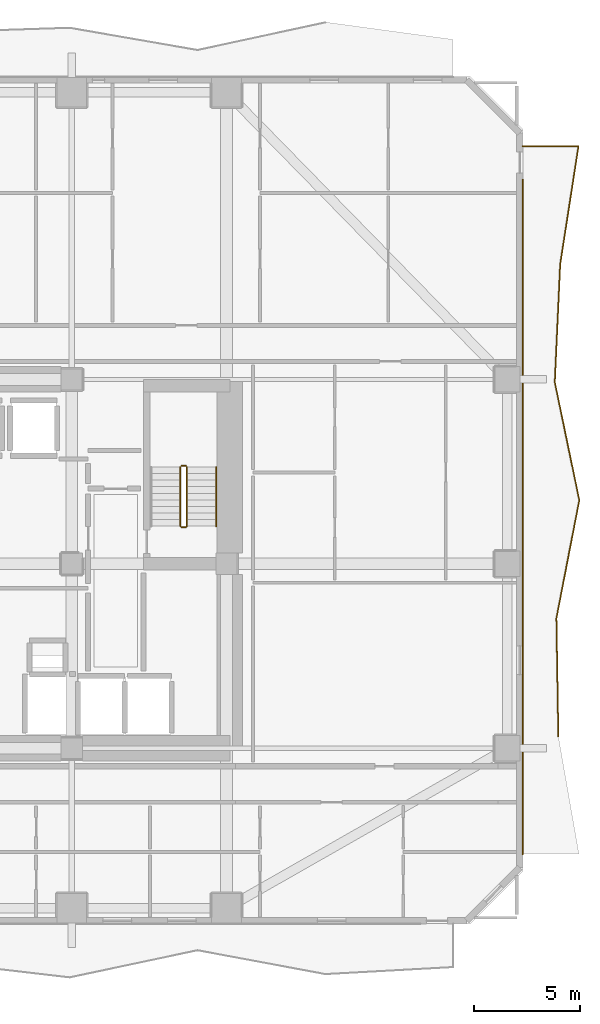
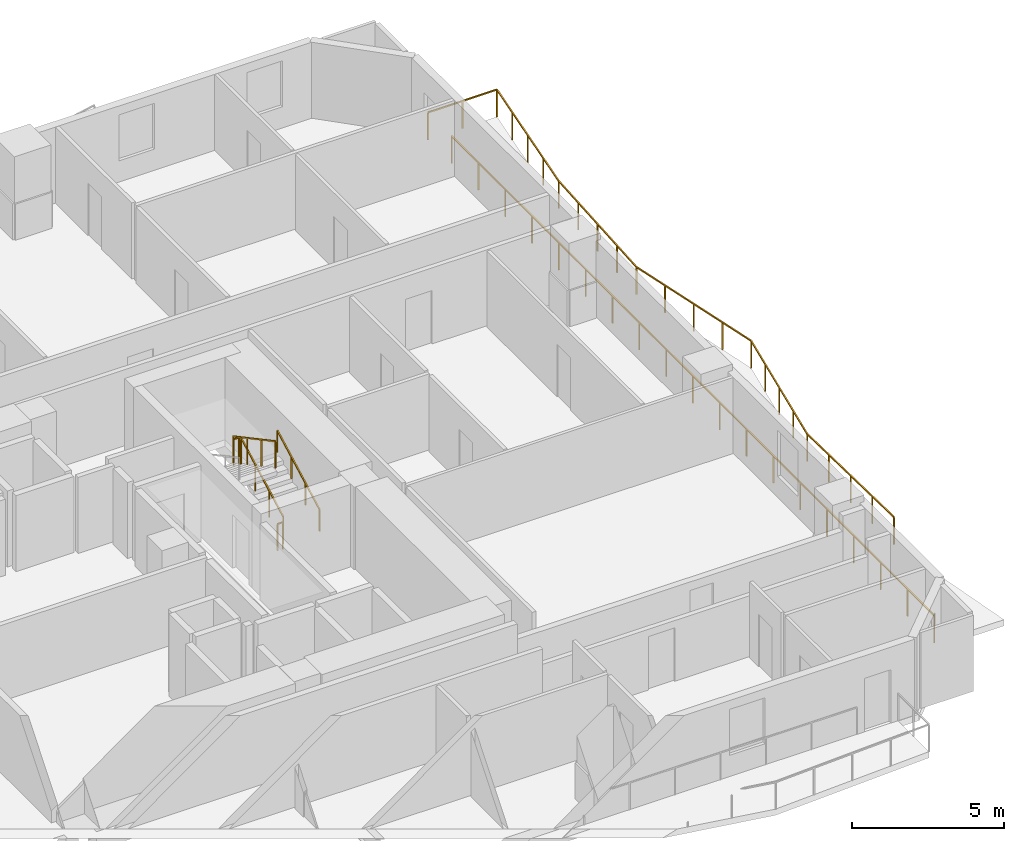
# One storey, part 10 of 11: 7 railings.
"""IFC4 building model written with IfcOpenShell, lengths in metres."""

from ifc_helpers import new_model, si_unit, direction, frame, origin, origin_2d, place, context, subcontext, project, spatial, rectangle, extrude, material, type_object, element, save


model = new_model("IFC4")

# Units and contexts
model_context = context("Model", 3, precision=1e-05, world=origin(), true_north=direction((0.0, 1.0)))
body_context = subcontext(model_context, "Body", "Model", "MODEL_VIEW")
ifc_project = project(units=[si_unit("LENGTHUNIT", "METRE"), si_unit("AREAUNIT", "SQUARE_METRE"), si_unit("VOLUMEUNIT", "CUBIC_METRE"), si_unit("PLANEANGLEUNIT", "RADIAN"), si_unit("MASSUNIT", "GRAM", prefix="KILO")], contexts=[model_context])

# Site, building, storey
site_placement = place(None, origin())
site = spatial("IfcSite", under=ifc_project, at=site_placement, CompositionType="ELEMENT")
building_placement = place(site_placement, origin())
building = spatial("IfcBuilding", under=site, at=building_placement, Name="Solanera Arch Residences", CompositionType="ELEMENT")
storey_placement = place(building_placement, frame((0.0, 0.0, 71.800048828125)))
storey = spatial("IfcBuildingStorey", under=building, at=storey_placement, Name="L20", CompositionType="ELEMENT", Elevation=71.800048828125)

# Railings
ifc_material_1 = material(Name="Steel S355 (ASTM A992 / A572 Grade 50)", Category="steel")
railing_type_1 = type_object("IfcRailingType", Name="Balustrade Railing BL-1100", PredefinedType="BALUSTRADE", material=ifc_material_1)
railing_1_placement = place(storey_placement, frame((52.159912109375, 22.56689453125, 0.0)))
element("IfcRailing", 1, at=railing_1_placement, inside=storey, type_object=railing_type_1, Name="L20 E Balcony Balustrade 1", PredefinedType="BALUSTRADE", context=body_context, shape_type="SweptSolid", body=[
    extrude(rectangle(XDim=0.048095703125, YDim=0.048095703125, at=origin_2d()), frame((0.0, 0.0, 1.09619140625), z_axis=(-0.016314333585, 0.999866912404, 0.0), x_axis=(-0.999866912404, -0.016314333585, 0.0)), (0.0, 0.0, 1.0), 5.56689453125),
    extrude(rectangle(XDim=0.048095703125, YDim=0.048095703125, at=origin_2d()), frame((-0.0908203125, 5.566162109375, 1.09619140625), z_axis=(0.190258853193, 0.981733960287, 0.0), x_axis=(-0.981733960287, 0.190258853193, 0.0)), (0.0, 0.0, 1.0), 5.67041015625),
    extrude(rectangle(XDim=0.048095703125, YDim=0.048095703125, at=origin_2d()), frame((0.988037109375, 11.133056640625, 1.09619140625), z_axis=(-0.203146551472, 0.979148343524, 0.0), x_axis=(-0.979148343524, -0.203146551472, 0.0)), (0.0, 0.0, 1.0), 5.685791015625),
    extrude(rectangle(XDim=0.048095703125, YDim=0.048095703125, at=origin_2d()), frame((-0.1669921875, 16.7001953125, 1.09619140625), z_axis=(0.045614371737, 0.998959122833, 0.0), x_axis=(-0.998959122833, 0.045614371737, 0.0)), (0.0, 0.0, 1.0), 5.57177734375),
    extrude(rectangle(XDim=0.048095703125, YDim=0.048095703125, at=origin_2d()), frame((0.087158203125, 22.26611328125, 1.09619140625), z_axis=(0.152988540853, 0.988227962753, 0.0), x_axis=(-0.988227962753, 0.152988540853, 0.0)), (0.0, 0.0, 1.0), 5.63330078125),
    extrude(rectangle(XDim=0.048095703125, YDim=0.048095703125, at=origin_2d()), frame((0.948974609375, 27.8330078125, 1.09619140625), z_axis=(-1.0, 0.0, 0.0), x_axis=(0.0, -1.0, 0.0)), (0.0, 0.0, 1.0), 2.62890625),
    extrude(rectangle(XDim=0.0419921875, YDim=0.0419921875, at=origin_2d()), origin(), (0.0, 0.0, 1.0), 1.072021484375),
    extrude(rectangle(XDim=0.0419921875, YDim=0.0419921875, at=origin_2d()), frame((-0.022705078125, 1.3916015625, 0.0)), (0.0, 0.0, 1.0), 1.072021484375),
    extrude(rectangle(XDim=0.0419921875, YDim=0.0419921875, at=origin_2d()), frame((-0.04541015625, 2.783203125, 0.0)), (0.0, 0.0, 1.0), 1.072021484375),
    extrude(rectangle(XDim=0.0419921875, YDim=0.0419921875, at=origin_2d()), frame((-0.068115234375, 4.174560546875, 0.0)), (0.0, 0.0, 1.0), 1.072021484375),
    extrude(rectangle(XDim=0.0419921875, YDim=0.0419921875, at=origin_2d()), frame((-0.0908203125, 5.566162109375, 0.0)), (0.0, 0.0, 1.0), 1.072021484375),
    extrude(rectangle(XDim=0.0419921875, YDim=0.0419921875, at=origin_2d()), frame((0.178955078125, 6.9580078125, 0.0)), (0.0, 0.0, 1.0), 1.072021484375),
    extrude(rectangle(XDim=0.0419921875, YDim=0.0419921875, at=origin_2d()), frame((0.44873046875, 8.349609375, 0.0)), (0.0, 0.0, 1.0), 1.072021484375),
    extrude(rectangle(XDim=0.0419921875, YDim=0.0419921875, at=origin_2d()), frame((0.71826171875, 9.7412109375, 0.0)), (0.0, 0.0, 1.0), 1.072021484375),
    extrude(rectangle(XDim=0.0419921875, YDim=0.0419921875, at=origin_2d()), frame((0.988037109375, 11.133056640625, 0.0)), (0.0, 0.0, 1.0), 1.072021484375),
    extrude(rectangle(XDim=0.0419921875, YDim=0.0419921875, at=origin_2d()), frame((0.69921875, 12.52490234375, 0.0)), (0.0, 0.0, 1.0), 1.072021484375),
    extrude(rectangle(XDim=0.0419921875, YDim=0.0419921875, at=origin_2d()), frame((0.41064453125, 13.91650390625, 0.0)), (0.0, 0.0, 1.0), 1.072021484375),
    extrude(rectangle(XDim=0.0419921875, YDim=0.0419921875, at=origin_2d()), frame((0.121826171875, 15.308349609375, 0.0)), (0.0, 0.0, 1.0), 1.072021484375),
    extrude(rectangle(XDim=0.0419921875, YDim=0.0419921875, at=origin_2d()), frame((-0.1669921875, 16.7001953125, 0.0)), (0.0, 0.0, 1.0), 1.072021484375),
    extrude(rectangle(XDim=0.0419921875, YDim=0.0419921875, at=origin_2d()), frame((-0.103515625, 18.091796875, 0.0)), (0.0, 0.0, 1.0), 1.072021484375),
    extrude(rectangle(XDim=0.0419921875, YDim=0.0419921875, at=origin_2d()), frame((-0.0400390625, 19.483154296875, 0.0)), (0.0, 0.0, 1.0), 1.072021484375),
    extrude(rectangle(XDim=0.0419921875, YDim=0.0419921875, at=origin_2d()), frame((0.023681640625, 20.87451171875, 0.0)), (0.0, 0.0, 1.0), 1.072021484375),
    extrude(rectangle(XDim=0.0419921875, YDim=0.0419921875, at=origin_2d()), frame((0.087158203125, 22.26611328125, 0.0)), (0.0, 0.0, 1.0), 1.072021484375),
    extrude(rectangle(XDim=0.0419921875, YDim=0.0419921875, at=origin_2d()), frame((0.302734375, 23.65771484375, 0.0)), (0.0, 0.0, 1.0), 1.072021484375),
    extrude(rectangle(XDim=0.0419921875, YDim=0.0419921875, at=origin_2d()), frame((0.51806640625, 25.049560546875, 0.0)), (0.0, 0.0, 1.0), 1.072021484375),
    extrude(rectangle(XDim=0.0419921875, YDim=0.0419921875, at=origin_2d()), frame((0.7333984375, 26.44140625, 0.0)), (0.0, 0.0, 1.0), 1.072021484375),
    extrude(rectangle(XDim=0.0419921875, YDim=0.0419921875, at=origin_2d()), frame((0.948974609375, 27.8330078125, 0.0)), (0.0, 0.0, 1.0), 1.072021484375),
    extrude(rectangle(XDim=0.0419921875, YDim=0.0419921875, at=origin_2d()), frame((-0.365478515625, 27.8330078125, 0.0)), (0.0, 0.0, 1.0), 1.072021484375),
    extrude(rectangle(XDim=0.0419921875, YDim=0.0419921875, at=origin_2d()), frame((-1.679931640625, 27.8330078125, 0.0)), (0.0, 0.0, 1.0), 1.072021484375),
])
railing_2_placement = place(storey_placement, frame((50.47998046875, 48.833984375, 0.0)))
element("IfcRailing", 2, at=railing_2_placement, inside=storey, type_object=railing_type_1, Name="L20 E Balcony Balustrade 2", PredefinedType="BALUSTRADE", context=body_context, shape_type="SweptSolid", body=[
    extrude(rectangle(XDim=0.048095703125, YDim=0.048095703125, at=origin_2d()), frame((0.0, 0.0, 1.09619140625), z_axis=(0.0, -1.0, 0.0), x_axis=(1.0, 0.0, 0.0)), (0.0, 0.0, 1.0), 31.833984375),
    extrude(rectangle(XDim=0.0419921875, YDim=0.0419921875, at=origin_2d()), origin(), (0.0, 0.0, 1.0), 1.072021484375),
    extrude(rectangle(XDim=0.0419921875, YDim=0.0419921875, at=origin_2d()), frame((0.0, -1.7685546875, 0.0)), (0.0, 0.0, 1.0), 1.072021484375),
    extrude(rectangle(XDim=0.0419921875, YDim=0.0419921875, at=origin_2d()), frame((0.0, -3.537109375, 0.0)), (0.0, 0.0, 1.0), 1.072021484375),
    extrude(rectangle(XDim=0.0419921875, YDim=0.0419921875, at=origin_2d()), frame((0.0, -5.3056640625, 0.0)), (0.0, 0.0, 1.0), 1.072021484375),
    extrude(rectangle(XDim=0.0419921875, YDim=0.0419921875, at=origin_2d()), frame((0.0, -7.07421875, 0.0)), (0.0, 0.0, 1.0), 1.072021484375),
    extrude(rectangle(XDim=0.0419921875, YDim=0.0419921875, at=origin_2d()), frame((0.0, -8.8427734375, 0.0)), (0.0, 0.0, 1.0), 1.072021484375),
    extrude(rectangle(XDim=0.0419921875, YDim=0.0419921875, at=origin_2d()), frame((0.0, -10.611328125, 0.0)), (0.0, 0.0, 1.0), 1.072021484375),
    extrude(rectangle(XDim=0.0419921875, YDim=0.0419921875, at=origin_2d()), frame((0.0, -12.3798828125, 0.0)), (0.0, 0.0, 1.0), 1.072021484375),
    extrude(rectangle(XDim=0.0419921875, YDim=0.0419921875, at=origin_2d()), frame((0.0, -14.1484375, 0.0)), (0.0, 0.0, 1.0), 1.072021484375),
    extrude(rectangle(XDim=0.0419921875, YDim=0.0419921875, at=origin_2d()), frame((0.0, -15.9169921875, 0.0)), (0.0, 0.0, 1.0), 1.072021484375),
    extrude(rectangle(XDim=0.0419921875, YDim=0.0419921875, at=origin_2d()), frame((0.0, -17.685546875, 0.0)), (0.0, 0.0, 1.0), 1.072021484375),
    extrude(rectangle(XDim=0.0419921875, YDim=0.0419921875, at=origin_2d()), frame((0.0, -19.4541015625, 0.0)), (0.0, 0.0, 1.0), 1.072021484375),
    extrude(rectangle(XDim=0.0419921875, YDim=0.0419921875, at=origin_2d()), frame((0.0, -21.22265625, 0.0)), (0.0, 0.0, 1.0), 1.072021484375),
    extrude(rectangle(XDim=0.0419921875, YDim=0.0419921875, at=origin_2d()), frame((0.0, -22.9912109375, 0.0)), (0.0, 0.0, 1.0), 1.072021484375),
    extrude(rectangle(XDim=0.0419921875, YDim=0.0419921875, at=origin_2d()), frame((0.0, -24.759765625, 0.0)), (0.0, 0.0, 1.0), 1.072021484375),
    extrude(rectangle(XDim=0.0419921875, YDim=0.0419921875, at=origin_2d()), frame((0.0, -26.5283203125, 0.0)), (0.0, 0.0, 1.0), 1.072021484375),
    extrude(rectangle(XDim=0.0419921875, YDim=0.0419921875, at=origin_2d()), frame((0.0, -28.296875, 0.0)), (0.0, 0.0, 1.0), 1.072021484375),
    extrude(rectangle(XDim=0.0419921875, YDim=0.0419921875, at=origin_2d()), frame((0.0, -30.0654296875, 0.0)), (0.0, 0.0, 1.0), 1.072021484375),
    extrude(rectangle(XDim=0.0419921875, YDim=0.0419921875, at=origin_2d()), frame((0.0, -31.833984375, 0.0)), (0.0, 0.0, 1.0), 1.072021484375),
])
ifc_material_2 = material(Name="Steel S355 (ASTM A992 / A572 Grade 50)", Category="steel")
railing_type_2 = type_object("IfcRailingType", Name="Stair Guardrail GR-1100", PredefinedType="GUARDRAIL", material=ifc_material_2)
railing_3_placement = place(storey_placement, frame((34.6298828125, 32.47998046875, 0.15087890625)))
element("IfcRailing", 3, at=railing_3_placement, inside=storey, type_object=railing_type_2, Name="L20 ST-T2 stair guard 1", PredefinedType="GUARDRAIL", context=body_context, shape_type="SweptSolid", body=[
    extrude(rectangle(XDim=0.048095703125, YDim=0.048095703125, at=origin_2d()), frame((0.0, 0.0, 1.076171875), z_axis=(0.0, 0.881548766853, 0.472092969298), x_axis=(-1.0, 0.0, 0.0)), (0.0, 0.0, 1.0), 3.1650390625),
    extrude(rectangle(XDim=0.0419921875, YDim=0.0419921875, at=origin_2d()), origin(), (0.0, 0.0, 1.0), 1.052001953125),
    extrude(rectangle(XDim=0.0419921875, YDim=0.0419921875, at=origin_2d()), frame((0.0, 0.929931640625, 0.498046875)), (0.0, 0.0, 1.0), 1.052001953125),
    extrude(rectangle(XDim=0.0419921875, YDim=0.0419921875, at=origin_2d()), frame((0.0, 1.860107421875, 0.99609375)), (0.0, 0.0, 1.0), 1.052001953125),
    extrude(rectangle(XDim=0.0419921875, YDim=0.0419921875, at=origin_2d()), frame((0.0, 2.7900390625, 1.494140625)), (0.0, 0.0, 1.0), 1.052001953125),
])
railing_4_placement = place(storey_placement, frame((34.580078125, 35.320068359375, 1.64501953125)))
element("IfcRailing", 4, at=railing_4_placement, inside=storey, type_object=railing_type_2, Name="L20 ST-T2 stair guard 2", PredefinedType="GUARDRAIL", context=body_context, shape_type="SweptSolid", body=[
    extrude(rectangle(XDim=0.048095703125, YDim=0.048095703125, at=origin_2d()), frame((0.0, 0.0, 1.076171875), z_axis=(-1.0, 0.0, 0.0), x_axis=(0.0, -1.0, 0.0)), (0.0, 0.0, 1.0), 0.2001953125),
    extrude(rectangle(XDim=0.0419921875, YDim=0.0419921875, at=origin_2d()), origin(), (0.0, 0.0, 1.0), 1.052001953125),
    extrude(rectangle(XDim=0.0419921875, YDim=0.0419921875, at=origin_2d()), frame((-0.2001953125, 0.0, 0.0)), (0.0, 0.0, 1.0), 1.052001953125),
])
railing_5_placement = place(storey_placement, frame((34.330078125, 35.27001953125, 1.81103515625)))
element("IfcRailing", 5, at=railing_5_placement, inside=storey, type_object=railing_type_2, Name="L20 ST-T2 stair guard 3", PredefinedType="GUARDRAIL", context=body_context, shape_type="SweptSolid", body=[
    extrude(rectangle(XDim=0.048095703125, YDim=0.048095703125, at=origin_2d()), frame((0.0, 0.0, 1.076171875), z_axis=(0.0, -0.881580869306, 0.472033018838), x_axis=(1.0, 0.0, 0.0)), (0.0, 0.0, 1.0), 3.164794921875),
    extrude(rectangle(XDim=0.0419921875, YDim=0.0419921875, at=origin_2d()), origin(), (0.0, 0.0, 1.0), 1.052001953125),
    extrude(rectangle(XDim=0.0419921875, YDim=0.0419921875, at=origin_2d()), frame((0.0, -0.929931640625, 0.498046875)), (0.0, 0.0, 1.0), 1.052001953125),
    extrude(rectangle(XDim=0.0419921875, YDim=0.0419921875, at=origin_2d()), frame((0.0, -1.860107421875, 0.995849609375)), (0.0, 0.0, 1.0), 1.052001953125),
    extrude(rectangle(XDim=0.0419921875, YDim=0.0419921875, at=origin_2d()), frame((0.0, -2.7900390625, 1.493896484375)), (0.0, 0.0, 1.0), 1.052001953125),
])
railing_6_placement = place(storey_placement, frame((34.580078125, 32.429931640625, -0.01513671875)))
element("IfcRailing", 6, at=railing_6_placement, inside=storey, type_object=railing_type_2, Name="L20 ST-T2 stair guard 4", PredefinedType="GUARDRAIL", context=body_context, shape_type="SweptSolid", body=[
    extrude(rectangle(XDim=0.048095703125, YDim=0.048095703125, at=origin_2d()), frame((0.0, 0.0, 1.076171875), z_axis=(-1.0, 0.0, 0.0), x_axis=(0.0, -1.0, 0.0)), (0.0, 0.0, 1.0), 0.2001953125),
    extrude(rectangle(XDim=0.0419921875, YDim=0.0419921875, at=origin_2d()), origin(), (0.0, 0.0, 1.0), 1.052001953125),
    extrude(rectangle(XDim=0.0419921875, YDim=0.0419921875, at=origin_2d()), frame((-0.2001953125, 0.0, 0.0)), (0.0, 0.0, 1.0), 1.052001953125),
])
ifc_material_3 = material(Name="Steel S355 (ASTM A992 / A572 Grade 50)", Category="steel")
railing_type_3 = type_object("IfcRailingType", Name="Stair Wall Handrail HR-920", PredefinedType="HANDRAIL", material=ifc_material_3)
railing_7_placement = place(storey_placement, frame((36.010009765625, 32.47998046875, 0.166015625)))
element("IfcRailing", 7, at=railing_7_placement, inside=storey, type_object=railing_type_3, Name="L20 ST-T2 stair handrail 1", PredefinedType="HANDRAIL", context=body_context, shape_type="SweptSolid", body=[
    extrude(rectangle(XDim=0.048095703125, YDim=0.048095703125, at=origin_2d()), frame((0.0, 0.0, 0.8759765625), z_axis=(0.0, 0.881580869306, 0.472033018838), x_axis=(-1.0, 0.0, 0.0)), (0.0, 0.0, 1.0), 3.164794921875),
    extrude(rectangle(XDim=0.0419921875, YDim=0.0419921875, at=origin_2d()), origin(), (0.0, 0.0, 1.0), 0.851806640625),
    extrude(rectangle(XDim=0.0419921875, YDim=0.0419921875, at=origin_2d()), frame((0.0, 0.929931640625, 0.498046875)), (0.0, 0.0, 1.0), 0.851806640625),
    extrude(rectangle(XDim=0.0419921875, YDim=0.0419921875, at=origin_2d()), frame((0.0, 1.860107421875, 0.995849609375)), (0.0, 0.0, 1.0), 0.851806640625),
    extrude(rectangle(XDim=0.0419921875, YDim=0.0419921875, at=origin_2d()), frame((0.0, 2.7900390625, 1.493896484375)), (0.0, 0.0, 1.0), 0.851806640625),
])

save(model, "model.ifc")
